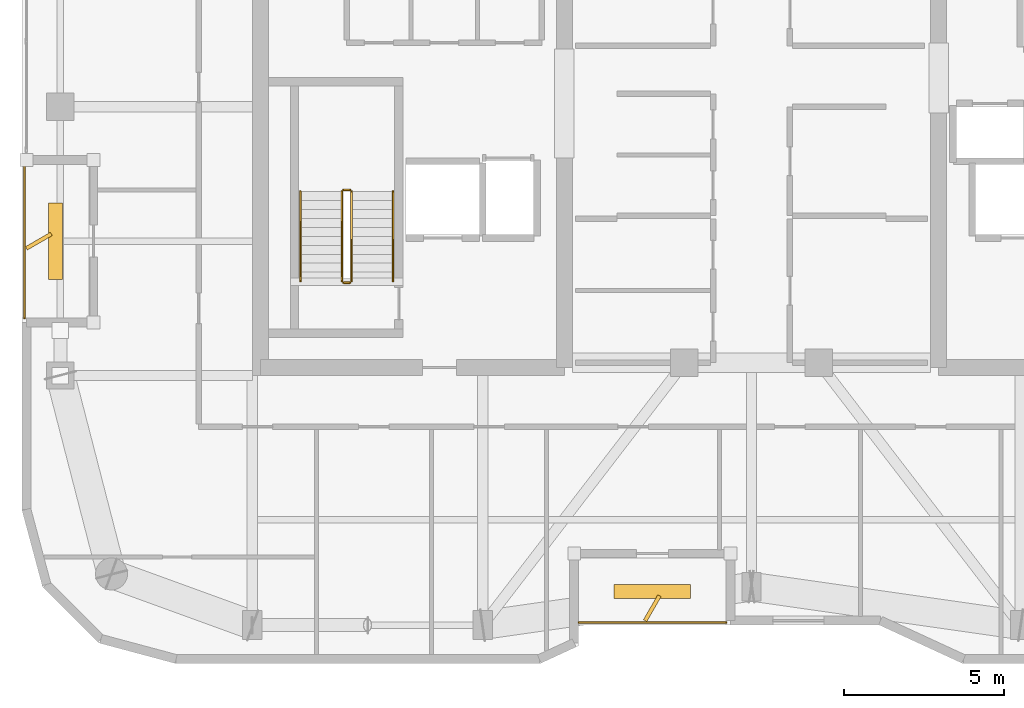
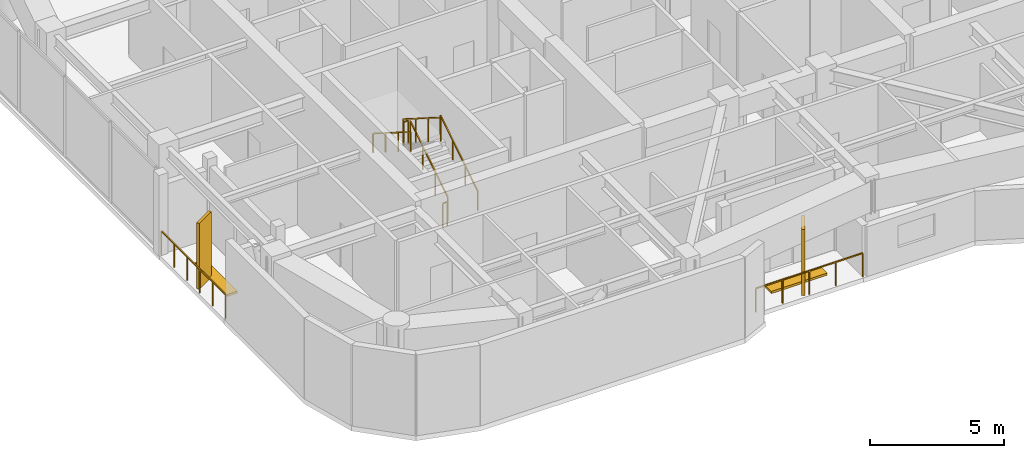
# One storey, part 15 of 16: 8 railings, 4 shading devices.
"""IFC4 building model written with IfcOpenShell, lengths in metres."""

from ifc_helpers import new_model, si_unit, direction, frame, origin, origin_2d, place, context, subcontext, project, spatial, rectangle, extrude, material, type_object, element, save


model = new_model("IFC4")

# Units and contexts
model_context = context("Model", 3, precision=1e-05, world=origin(), true_north=direction((0.0, 1.0)))
body_context = subcontext(model_context, "Body", "Model", "MODEL_VIEW")
ifc_project = project(units=[si_unit("LENGTHUNIT", "METRE"), si_unit("AREAUNIT", "SQUARE_METRE"), si_unit("VOLUMEUNIT", "CUBIC_METRE"), si_unit("PLANEANGLEUNIT", "RADIAN"), si_unit("MASSUNIT", "GRAM", prefix="KILO")], contexts=[model_context])

# Site, building, storey
site_placement = place(None, origin())
site = spatial("IfcSite", under=ifc_project, at=site_placement, CompositionType="ELEMENT")
building_placement = place(site_placement, origin())
building = spatial("IfcBuilding", under=site, at=building_placement, Name="Kiyonajd Concourse Tower", CompositionType="ELEMENT")
storey_placement = place(building_placement, frame((0.0, 0.0, 302.39990234375)))
storey = spatial("IfcBuildingStorey", under=building, at=storey_placement, Name="L76", CompositionType="ELEMENT", Elevation=302.39990234375)

# Railings
ifc_material_1 = material(Name="Thermally Broken Anodised Aluminium", Category="aluminium")
railing_type_1 = type_object("IfcRailingType", Name="RL-GRD-LOG", PredefinedType="GUARDRAIL", material=ifc_material_1)
railing_1_placement = place(storey_placement, frame((42.60009765625, 19.8798828125, 0.0)))
element("IfcRailing", 1, at=railing_1_placement, inside=storey, type_object=railing_type_1, Name="L76 Engawa Loggia Perimeter Guard LOG-S", PredefinedType="GUARDRAIL", context=body_context, shape_type="SweptSolid", body=[
    extrude(rectangle(XDim=0.048095703125, YDim=0.048095703125, at=origin_2d()), frame((0.0, 0.0, 1.076171875), z_axis=(1.0, 0.0, 0.0), x_axis=(0.0, 1.0, 0.0)), (0.0, 0.0, 1.0), 4.599853515625),
    extrude(rectangle(XDim=0.0419921875, YDim=0.0419921875, at=origin_2d()), origin(), (0.0, 0.0, 1.0), 1.052001953125),
    extrude(rectangle(XDim=0.0419921875, YDim=0.0419921875, at=origin_2d()), frame((1.14990234375, 0.0, 0.0)), (0.0, 0.0, 1.0), 1.052001953125),
    extrude(rectangle(XDim=0.0419921875, YDim=0.0419921875, at=origin_2d()), frame((2.2998046875, 0.0, 0.0)), (0.0, 0.0, 1.0), 1.052001953125),
    extrude(rectangle(XDim=0.0419921875, YDim=0.0419921875, at=origin_2d()), frame((3.449951171875, 0.0, 0.0)), (0.0, 0.0, 1.0), 1.052001953125),
    extrude(rectangle(XDim=0.0419921875, YDim=0.0419921875, at=origin_2d()), frame((4.599853515625, 0.0, 0.0)), (0.0, 0.0, 1.0), 1.052001953125),
])
railing_2_placement = place(storey_placement, frame((25.280029296875, 34.199951171875, 0.0)))
element("IfcRailing", 2, at=railing_2_placement, inside=storey, type_object=railing_type_1, Name="L76 Engawa Loggia Perimeter Guard LOG-W", PredefinedType="GUARDRAIL", context=body_context, shape_type="SweptSolid", body=[
    extrude(rectangle(XDim=0.048095703125, YDim=0.048095703125, at=origin_2d()), frame((0.0, 0.0, 1.076171875), z_axis=(0.0, -1.0, 0.0), x_axis=(1.0, 0.0, 0.0)), (0.0, 0.0, 1.0), 4.800048828125),
    extrude(rectangle(XDim=0.0419921875, YDim=0.0419921875, at=origin_2d()), origin(), (0.0, 0.0, 1.0), 1.052001953125),
    extrude(rectangle(XDim=0.0419921875, YDim=0.0419921875, at=origin_2d()), frame((0.0, -0.9599609375, 0.0)), (0.0, 0.0, 1.0), 1.052001953125),
    extrude(rectangle(XDim=0.0419921875, YDim=0.0419921875, at=origin_2d()), frame((0.0, -1.919921875, 0.0)), (0.0, 0.0, 1.0), 1.052001953125),
    extrude(rectangle(XDim=0.0419921875, YDim=0.0419921875, at=origin_2d()), frame((0.0, -2.880126953125, 0.0)), (0.0, 0.0, 1.0), 1.052001953125),
    extrude(rectangle(XDim=0.0419921875, YDim=0.0419921875, at=origin_2d()), frame((0.0, -3.840087890625, 0.0)), (0.0, 0.0, 1.0), 1.052001953125),
    extrude(rectangle(XDim=0.0419921875, YDim=0.0419921875, at=origin_2d()), frame((0.0, -4.800048828125, 0.0)), (0.0, 0.0, 1.0), 1.052001953125),
])
ifc_material_2 = material(Name="Steel ASTM A500 Grade C", Category="steel")
railing_type_2 = type_object("IfcRailingType", Name="RL-GRD-STR", PredefinedType="GUARDRAIL", material=ifc_material_2)
railing_3_placement = place(storey_placement, frame((35.5, 30.550048828125, 0.177490234375)))
element("IfcRailing", 3, at=railing_3_placement, inside=storey, type_object=railing_type_2, Name="L76 ST1 stair guard 1", PredefinedType="GUARDRAIL", context=body_context, shape_type="SweptSolid", body=[
    extrude(rectangle(XDim=0.048095703125, YDim=0.048095703125, at=origin_2d()), frame((0.0, 0.0, 1.076171875), z_axis=(0.0, 0.844908973607, 0.534910110503), x_axis=(-1.0, 0.0, 0.0)), (0.0, 0.0, 1.0), 3.31396484375),
    extrude(rectangle(XDim=0.0419921875, YDim=0.0419921875, at=origin_2d()), origin(), (0.0, 0.0, 1.0), 1.052001953125),
    extrude(rectangle(XDim=0.0419921875, YDim=0.0419921875, at=origin_2d()), frame((0.0, 0.933349609375, 0.5908203125)), (0.0, 0.0, 1.0), 1.052001953125),
    extrude(rectangle(XDim=0.0419921875, YDim=0.0419921875, at=origin_2d()), frame((0.0, 1.86669921875, 1.181884765625)), (0.0, 0.0, 1.0), 1.052001953125),
    extrude(rectangle(XDim=0.0419921875, YDim=0.0419921875, at=origin_2d()), frame((0.0, 2.800048828125, 1.772705078125)), (0.0, 0.0, 1.0), 1.052001953125),
])
railing_4_placement = place(storey_placement, frame((35.449951171875, 33.39990234375, 1.9501953125)))
element("IfcRailing", 4, at=railing_4_placement, inside=storey, type_object=railing_type_2, Name="L76 ST1 stair guard 2", PredefinedType="GUARDRAIL", context=body_context, shape_type="SweptSolid", body=[
    extrude(rectangle(XDim=0.048095703125, YDim=0.048095703125, at=origin_2d()), frame((0.0, 0.0, 1.076171875), z_axis=(-1.0, 0.0, 0.0), x_axis=(0.0, -1.0, 0.0)), (0.0, 0.0, 1.0), 0.199951171875),
    extrude(rectangle(XDim=0.0419921875, YDim=0.0419921875, at=origin_2d()), origin(), (0.0, 0.0, 1.0), 1.052001953125),
    extrude(rectangle(XDim=0.0419921875, YDim=0.0419921875, at=origin_2d()), frame((-0.199951171875, 0.0, 0.0)), (0.0, 0.0, 1.0), 1.052001953125),
])
railing_5_placement = place(storey_placement, frame((35.199951171875, 33.35009765625, 2.12744140625)))
element("IfcRailing", 5, at=railing_5_placement, inside=storey, type_object=railing_type_2, Name="L76 ST1 stair guard 3", PredefinedType="GUARDRAIL", context=body_context, shape_type="SweptSolid", body=[
    extrude(rectangle(XDim=0.048095703125, YDim=0.048095703125, at=origin_2d()), frame((0.0, 0.0, 1.076171875), z_axis=(0.0, -0.844908973607, 0.534910110503), x_axis=(1.0, 0.0, 0.0)), (0.0, 0.0, 1.0), 3.31396484375),
    extrude(rectangle(XDim=0.0419921875, YDim=0.0419921875, at=origin_2d()), origin(), (0.0, 0.0, 1.0), 1.052001953125),
    extrude(rectangle(XDim=0.0419921875, YDim=0.0419921875, at=origin_2d()), frame((0.0, -0.933349609375, 0.5908203125)), (0.0, 0.0, 1.0), 1.052001953125),
    extrude(rectangle(XDim=0.0419921875, YDim=0.0419921875, at=origin_2d()), frame((0.0, -1.86669921875, 1.181884765625)), (0.0, 0.0, 1.0), 1.052001953125),
    extrude(rectangle(XDim=0.0419921875, YDim=0.0419921875, at=origin_2d()), frame((0.0, -2.800048828125, 1.772705078125)), (0.0, 0.0, 1.0), 1.052001953125),
])
railing_6_placement = place(storey_placement, frame((35.449951171875, 30.5, 0.0)))
element("IfcRailing", 6, at=railing_6_placement, inside=storey, type_object=railing_type_2, Name="L76 ST1 stair guard 4", PredefinedType="GUARDRAIL", context=body_context, shape_type="SweptSolid", body=[
    extrude(rectangle(XDim=0.048095703125, YDim=0.048095703125, at=origin_2d()), frame((0.0, 0.0, 1.076171875), z_axis=(-1.0, 0.0, 0.0), x_axis=(0.0, -1.0, 0.0)), (0.0, 0.0, 1.0), 0.199951171875),
    extrude(rectangle(XDim=0.0419921875, YDim=0.0419921875, at=origin_2d()), origin(), (0.0, 0.0, 1.0), 1.052001953125),
    extrude(rectangle(XDim=0.0419921875, YDim=0.0419921875, at=origin_2d()), frame((-0.199951171875, 0.0, 0.0)), (0.0, 0.0, 1.0), 1.052001953125),
])
ifc_material_3 = material(Name="Brushed Stainless Steel Cab Assembly", Category="steel")
railing_type_3 = type_object("IfcRailingType", Name="RL-HND-900", PredefinedType="HANDRAIL", material=ifc_material_3)
railing_7_placement = place(storey_placement, frame((36.800048828125, 30.550048828125, 0.177490234375)))
element("IfcRailing", 7, at=railing_7_placement, inside=storey, type_object=railing_type_3, Name="L76 ST1 stair handrail 1", PredefinedType="HANDRAIL", context=body_context, shape_type="SweptSolid", body=[
    extrude(rectangle(XDim=0.048095703125, YDim=0.048095703125, at=origin_2d()), frame((0.0, 0.0, 0.8759765625), z_axis=(0.0, 0.844908973607, 0.534910110503), x_axis=(-1.0, 0.0, 0.0)), (0.0, 0.0, 1.0), 3.31396484375),
    extrude(rectangle(XDim=0.0419921875, YDim=0.0419921875, at=origin_2d()), origin(), (0.0, 0.0, 1.0), 0.851806640625),
    extrude(rectangle(XDim=0.0419921875, YDim=0.0419921875, at=origin_2d()), frame((0.0, 0.933349609375, 0.5908203125)), (0.0, 0.0, 1.0), 0.851806640625),
    extrude(rectangle(XDim=0.0419921875, YDim=0.0419921875, at=origin_2d()), frame((0.0, 1.86669921875, 1.181884765625)), (0.0, 0.0, 1.0), 0.851806640625),
    extrude(rectangle(XDim=0.0419921875, YDim=0.0419921875, at=origin_2d()), frame((0.0, 2.800048828125, 1.772705078125)), (0.0, 0.0, 1.0), 0.851806640625),
])
railing_8_placement = place(storey_placement, frame((33.89990234375, 33.35009765625, 2.12744140625)))
element("IfcRailing", 8, at=railing_8_placement, inside=storey, type_object=railing_type_3, Name="L76 ST1 stair handrail 2", PredefinedType="HANDRAIL", context=body_context, shape_type="SweptSolid", body=[
    extrude(rectangle(XDim=0.048095703125, YDim=0.048095703125, at=origin_2d()), frame((0.0, 0.0, 0.8759765625), z_axis=(0.0, -0.844908973607, 0.534910110503), x_axis=(1.0, 0.0, 0.0)), (0.0, 0.0, 1.0), 3.31396484375),
    extrude(rectangle(XDim=0.0419921875, YDim=0.0419921875, at=origin_2d()), origin(), (0.0, 0.0, 1.0), 0.851806640625),
    extrude(rectangle(XDim=0.0419921875, YDim=0.0419921875, at=origin_2d()), frame((0.0, -0.933349609375, 0.5908203125)), (0.0, 0.0, 1.0), 0.851806640625),
    extrude(rectangle(XDim=0.0419921875, YDim=0.0419921875, at=origin_2d()), frame((0.0, -1.86669921875, 1.181884765625)), (0.0, 0.0, 1.0), 0.851806640625),
    extrude(rectangle(XDim=0.0419921875, YDim=0.0419921875, at=origin_2d()), frame((0.0, -2.800048828125, 1.772705078125)), (0.0, 0.0, 1.0), 0.851806640625),
])

# Shading devices
ifc_material_4 = material(Name="Precast concrete C50/60", Category="concrete")
shading_device_type_1 = type_object("IfcShadingDeviceType", Name="SH-FIN-900", PredefinedType="USERDEFINED", material=ifc_material_4)
for number, where, z_axis, x_axis, name in (
    (9, (44.89990234375, 20.330078125, 0.0), (0.0, 0.0, 1.0), (0.5, 0.866025403784, 0.0), "L76 Angled Koshi Solar Fin LOG-S"),
    (10, (25.72998046875, 31.800048828125, 0.0), (0.0, 0.0, 1.0), (0.866025403784, 0.5, 0.0), "L76 Angled Koshi Solar Fin LOG-W"),
):
    element("IfcShadingDevice", number, at=place(storey_placement, frame(where, z_axis=z_axis, x_axis=x_axis)), inside=storey, type_object=shading_device_type_1, Name=name, ObjectType="FIN", PredefinedType="USERDEFINED", context=body_context, shape_type="SweptSolid", body=[
        extrude(rectangle(XDim=0.89990234375, YDim=0.1201171875, at=origin_2d()), origin(), (0.0, 0.0, 1.0), 3.0),
    ])
shading_device_type_2 = type_object("IfcShadingDeviceType", Name="SH-LVR-600", PredefinedType="JALOUSIE", material=ifc_material_1)
for number, where, z_axis, x_axis, name in (
    (11, (44.89990234375, 20.85009765625, 0.0), (0.0, 0.0, 1.0), (1.0, 0.0, 0.0), "L76 Loggia Threshold Louver LOG-S"),
    (12, (26.25, 31.800048828125, 0.0), (0.0, 0.0, 1.0), (0.0, 1.0, 0.0), "L76 Loggia Threshold Louver LOG-W"),
):
    element("IfcShadingDevice", number, at=place(storey_placement, frame(where, z_axis=z_axis, x_axis=x_axis)), inside=storey, type_object=shading_device_type_2, Name=name, PredefinedType="JALOUSIE", context=body_context, shape_type="SweptSolid", body=[
        extrude(rectangle(XDim=2.39990234375, YDim=0.449951171875, at=origin_2d()), origin(), (0.0, 0.0, 1.0), 0.10009765625),
    ])

save(model, "model.ifc")
